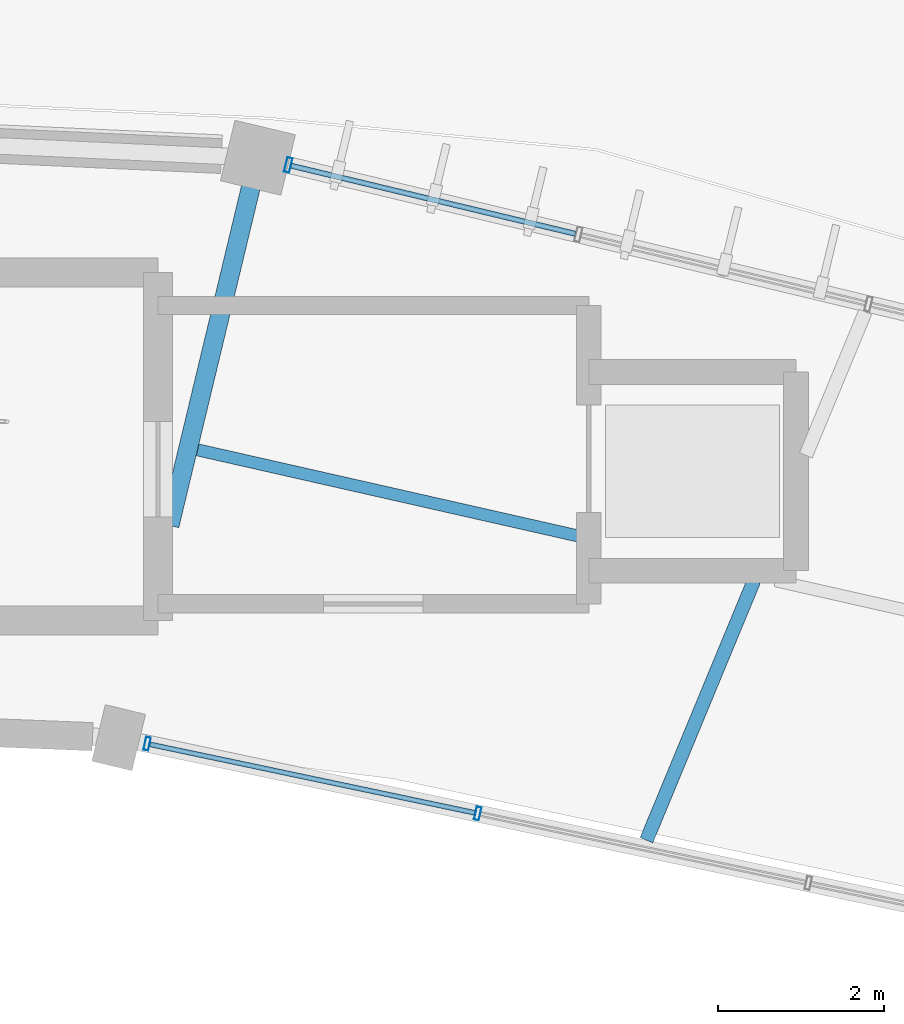
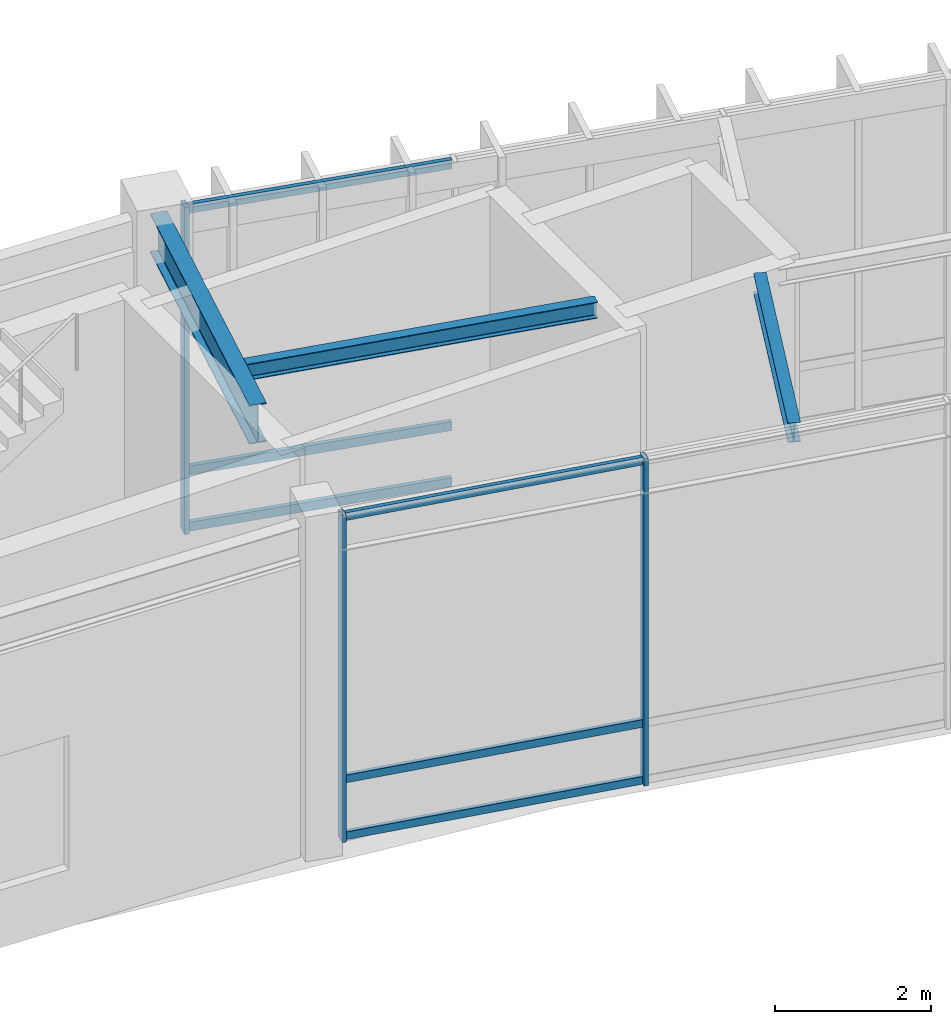
# One storey, part 80 of 157: 9 members, 3 beams, 2 elements without a shape of their own.
"""IFC4 building model written with IfcOpenShell, lengths in metres."""

from ifc_helpers import new_model, si_unit, direction, frame, origin, origin_2d, place, context, subcontext, project, spatial, hollow_rectangle, i_section, extrude, material, material_profile, profile_set, type_object, element, aggregate, save


model = new_model("IFC4")

# Units and contexts
model_context = context("Model", 3, precision=1e-05, world=origin(), true_north=direction((0.0, 1.0)))
body_context = subcontext(model_context, "Body", "Model", "MODEL_VIEW")
ifc_project = project(units=[si_unit("LENGTHUNIT", "METRE"), si_unit("AREAUNIT", "SQUARE_METRE"), si_unit("VOLUMEUNIT", "CUBIC_METRE"), si_unit("PLANEANGLEUNIT", "RADIAN"), si_unit("MASSUNIT", "GRAM", prefix="KILO"), si_unit("THERMODYNAMICTEMPERATUREUNIT", "KELVIN"), si_unit("POWERUNIT", "WATT")], contexts=[model_context])

# Site, building, storey
site_placement = place(None, origin())
site = spatial("IfcSite", under=ifc_project, at=site_placement, CompositionType="ELEMENT")
building_placement = place(site_placement, origin())
building = spatial("IfcBuilding", under=site, at=building_placement, Name="Darbajah Civic Hall", CompositionType="ELEMENT")
storey_placement = place(building_placement, origin())
storey = spatial("IfcBuildingStorey", under=building, at=storey_placement, Name="L00", CompositionType="ELEMENT", Elevation=0.0)

# Curtain wall, members
ifc_material_1 = material(Name="Anodised Bronze Aluminium and Low-E Glazing", Category="aluminium")
curtain_wall_type_1 = type_object("IfcCurtainWallType", Name="Unitised Curtain Wall CW-04 12200x5100", PredefinedType="USERDEFINED", material=ifc_material_1)
curtain_wall_1_placement = place(storey_placement, origin())
curtain_wall_1 = element("IfcCurtainWall", 1, at=curtain_wall_1_placement, inside=storey, type_object=curtain_wall_type_1, Name="L00 unitised curtain wall CW-V1I-L00-03", ObjectType="UNITISED CURTAIN WALL", PredefinedType="USERDEFINED")
ifc_material_2 = material(Name="Anodised Bronze Aluminium", Category="aluminium")
ifc_material_profile_1 = material_profile(ifc_material_2, hollow_rectangle(XDim=0.06005859375, YDim=0.159912109375, WallThickness=0.00341796875, at=origin_2d()), Name="ALU MULLION 60x160")
ifc_profile_set_1 = profile_set([ifc_material_profile_1], Name="Anodised Bronze Aluminium")
member_type_1 = type_object("IfcMemberType", Name="ALU MULLION 60x160", PredefinedType="MULLION", material=ifc_profile_set_1)
member_1_placement = place(storey_placement, frame((103.659912109375, 110.569580078125, 0.0), z_axis=(0.0, 0.0, 1.0), x_axis=(-0.978472980779, 0.206374964291, 0.0)))
member_1 = element("IfcMember", 2, at=member_1_placement, type_object=member_type_1, Name="CW-V1I-L00-03 mullion 3", PredefinedType="MULLION", context=body_context, shape_type="SweptSolid", body=[
    extrude(hollow_rectangle(XDim=0.06005859375, YDim=0.159912109375, WallThickness=0.00341796875, at=origin_2d()), origin(), (0.0, 0.0, 1.0), 5.1201171875),
])
member_2_placement = place(storey_placement, frame((99.669189453125, 111.4111328125, 0.0), z_axis=(0.0, 0.0, 1.0), x_axis=(-0.978472980779, 0.206374964291, 0.0)))
member_2 = element("IfcMember", 3, at=member_2_placement, type_object=member_type_1, Name="CW-V1I-L00-03 mullion 4", PredefinedType="MULLION", context=body_context, shape_type="SweptSolid", body=[
    extrude(hollow_rectangle(XDim=0.06005859375, YDim=0.159912109375, WallThickness=0.00341796875, at=origin_2d()), origin(), (0.0, 0.0, 1.0), 5.1201171875),
])

# Curtain wall, member
curtain_wall_type_2 = type_object("IfcCurtainWallType", Name="Unitised Curtain Wall CW-03 14400x5100", PredefinedType="USERDEFINED", material=ifc_material_1)
curtain_wall_2_placement = place(storey_placement, origin())
curtain_wall_2 = element("IfcCurtainWall", 4, at=curtain_wall_2_placement, inside=storey, type_object=curtain_wall_type_2, Name="L00 unitised curtain wall CW-V1O-L00-03", ObjectType="UNITISED CURTAIN WALL", PredefinedType="USERDEFINED")
ifc_material_profile_2 = material_profile(ifc_material_2, hollow_rectangle(XDim=0.06494140625, YDim=0.179931640625, WallThickness=0.00390625, at=origin_2d()), Name="ALU MULLION 65x180")
ifc_profile_set_2 = profile_set([ifc_material_profile_2], Name="Anodised Bronze Aluminium")
member_type_2 = type_object("IfcMemberType", Name="ALU MULLION 65x180", PredefinedType="MULLION", material=ifc_profile_set_2)
member_3_placement = place(storey_placement, frame((101.372314453125, 118.397216796875, 0.0), z_axis=(0.0, 0.0, 1.0), x_axis=(-0.972492018808, 0.232936200179, 0.0)))
member_3 = element("IfcMember", 5, at=member_3_placement, type_object=member_type_2, Name="CW-V1O-L00-03 mullion 5", PredefinedType="MULLION", context=body_context, shape_type="SweptSolid", body=[
    extrude(hollow_rectangle(XDim=0.06494140625, YDim=0.179931640625, WallThickness=0.00390625, at=origin_2d()), origin(), (0.0, 0.0, 1.0), 5.1201171875),
])

# Member
ifc_material_profile_3 = material_profile(ifc_material_2, hollow_rectangle(XDim=0.06005859375, YDim=0.1201171875, WallThickness=0.003173828125, at=origin_2d()), Name="ALU TRANSOM 60x120")
ifc_profile_set_3 = profile_set([ifc_material_profile_3], Name="Anodised Bronze Aluminium")
member_type_3 = type_object("IfcMemberType", Name="ALU TRANSOM 60x120", PredefinedType="USERDEFINED", material=ifc_profile_set_3)
member_4_placement = place(storey_placement, frame((103.62548828125, 110.576904296875, 0.06005859375), z_axis=(-0.978474752776, 0.20636656265, 0.0), x_axis=(-0.20636656265, -0.978474752776, 0.0)))
member_4 = element("IfcMember", 6, at=member_4_placement, type_object=member_type_3, Name="CW-V1I-L00-03 transom 3.1", ObjectType="TRANSOM", PredefinedType="USERDEFINED", context=body_context, shape_type="SweptSolid", body=[
    extrude(hollow_rectangle(XDim=0.06005859375, YDim=0.1201171875, WallThickness=0.003173828125, at=origin_2d()), origin(), (0.0, 0.0, 1.0), 4.008056640625),
])

member_5_placement = place(storey_placement, frame((103.62548828125, 110.576904296875, 0.949951171875), z_axis=(-0.978474752776, 0.20636656265, 0.0), x_axis=(-0.20636656265, -0.978474752776, 0.0)))
member_5 = element("IfcMember", 7, at=member_5_placement, type_object=member_type_3, Name="CW-V1I-L00-03 transom 3.2", ObjectType="TRANSOM", PredefinedType="USERDEFINED", context=body_context, shape_type="SweptSolid", body=[
    extrude(hollow_rectangle(XDim=0.06005859375, YDim=0.1201171875, WallThickness=0.003173828125, at=origin_2d()), origin(), (0.0, 0.0, 1.0), 4.008056640625),
])

member_6_placement = place(storey_placement, frame((103.62548828125, 110.576904296875, 5.06005859375), z_axis=(-0.978474752776, 0.20636656265, 0.0), x_axis=(-0.20636656265, -0.978474752776, 0.0)))
member_6 = element("IfcMember", 8, at=member_6_placement, type_object=member_type_3, Name="CW-V1I-L00-03 transom 3.3", ObjectType="TRANSOM", PredefinedType="USERDEFINED", context=body_context, shape_type="SweptSolid", body=[
    extrude(hollow_rectangle(XDim=0.06005859375, YDim=0.1201171875, WallThickness=0.003173828125, at=origin_2d()), origin(), (0.0, 0.0, 1.0), 4.008056640625),
])

aggregate(curtain_wall_1, [member_1, member_2, member_4, member_5, member_6])

ifc_material_profile_4 = material_profile(ifc_material_2, hollow_rectangle(XDim=0.06494140625, YDim=0.139892578125, WallThickness=0.00341796875, at=origin_2d()), Name="ALU TRANSOM 65x140")
ifc_profile_set_4 = profile_set([ifc_material_profile_4], Name="Anodised Bronze Aluminium")
member_type_4 = type_object("IfcMemberType", Name="ALU TRANSOM 65x140", PredefinedType="USERDEFINED", material=ifc_profile_set_4)
member_7_placement = place(storey_placement, frame((104.837890625, 117.566650390625, 0.070068359375), z_axis=(-0.972466430891, 0.23304300202, 0.0), x_axis=(-0.23304300202, -0.972466430891, 0.0)))
member_7 = element("IfcMember", 9, at=member_7_placement, type_object=member_type_4, Name="CW-V1O-L00-03 transom 4.1", ObjectType="TRANSOM", PredefinedType="USERDEFINED", context=body_context, shape_type="SweptSolid", body=[
    extrude(hollow_rectangle(XDim=0.06494140625, YDim=0.139892578125, WallThickness=0.00341796875, at=origin_2d()), origin(), (0.0, 0.0, 1.0), 3.5263671875),
])

member_8_placement = place(storey_placement, frame((104.837890625, 117.566650390625, 0.949951171875), z_axis=(-0.972466430891, 0.23304300202, 0.0), x_axis=(-0.23304300202, -0.972466430891, 0.0)))
member_8 = element("IfcMember", 10, at=member_8_placement, type_object=member_type_4, Name="CW-V1O-L00-03 transom 4.2", ObjectType="TRANSOM", PredefinedType="USERDEFINED", context=body_context, shape_type="SweptSolid", body=[
    extrude(hollow_rectangle(XDim=0.06494140625, YDim=0.139892578125, WallThickness=0.00341796875, at=origin_2d()), origin(), (0.0, 0.0, 1.0), 3.5263671875),
])

member_9_placement = place(storey_placement, frame((104.837890625, 117.566650390625, 5.050048828125), z_axis=(-0.972466430891, 0.23304300202, 0.0), x_axis=(-0.23304300202, -0.972466430891, 0.0)))
member_9 = element("IfcMember", 11, at=member_9_placement, type_object=member_type_4, Name="CW-V1O-L00-03 transom 4.3", ObjectType="TRANSOM", PredefinedType="USERDEFINED", context=body_context, shape_type="SweptSolid", body=[
    extrude(hollow_rectangle(XDim=0.06494140625, YDim=0.139892578125, WallThickness=0.00341796875, at=origin_2d()), origin(), (0.0, 0.0, 1.0), 3.5263671875),
])

aggregate(curtain_wall_2, [member_3, member_7, member_8, member_9])

# Beams
ifc_material_3 = material(Name="Steel S355JR", Category="steel")
ifc_material_profile_5 = material_profile(ifc_material_3, i_section(OverallWidth=0.146484375, OverallDepth=0.256103515625, WebThickness=0.00634765625, FlangeThickness=0.010986328125, FilletRadius=0.007568359375, at=origin_2d()), Name="UB 254x146x37")
ifc_profile_set_5 = profile_set([ifc_material_profile_5], Name="Steel S355JR")
beam_type_1 = type_object("IfcBeamType", Name="UB 254x146x37", PredefinedType="JOIST", material=ifc_profile_set_5)
beam_1_placement = place(storey_placement, frame((104.8798828125, 113.917236328125, 4.991943359375), z_axis=(-0.97532969835, 0.220753209527, 0.0), x_axis=(-0.220753209527, -0.97532969835, 0.0)))
element("IfcBeam", 12, at=beam_1_placement, inside=storey, type_object=beam_type_1, Name="L00 beam SJ-254", PredefinedType="JOIST", context=body_context, shape_type="SweptSolid", body=[
    extrude(i_section(OverallWidth=0.146484375, OverallDepth=0.256103515625, WebThickness=0.00634765625, FlangeThickness=0.010986328125, FilletRadius=0.007568359375, at=origin_2d()), origin(), (0.0, 0.0, 1.0), 4.718017578125),
])
ifc_material_profile_6 = material_profile(ifc_material_3, i_section(OverallWidth=0.165771484375, OverallDepth=0.306640625, WebThickness=0.006591796875, FlangeThickness=0.01171875, FilletRadius=0.0087890625, at=origin_2d()), Name="UB 305x165x46")
ifc_profile_set_6 = profile_set([ifc_material_profile_6], Name="Steel S355JR")
beam_type_2 = type_object("IfcBeamType", Name="UB 305x165x46", PredefinedType="JOIST", material=ifc_profile_set_6)
beam_2_placement = place(storey_placement, frame((105.69580078125, 110.246826171875, 4.966796875), z_axis=(0.382646399195, 0.923894871283, 0.0), x_axis=(-0.923894871283, 0.382646399195, 0.0)))
element("IfcBeam", 13, at=beam_2_placement, inside=storey, type_object=beam_type_2, Name="L00 beam SJ-305", PredefinedType="JOIST", context=body_context, shape_type="SweptSolid", body=[
    extrude(i_section(OverallWidth=0.165771484375, OverallDepth=0.306640625, WebThickness=0.006591796875, FlangeThickness=0.01171875, FilletRadius=0.0087890625, at=origin_2d()), origin(), (0.0, 0.0, 1.0), 3.39111328125),
])
ifc_material_profile_7 = material_profile(ifc_material_3, i_section(OverallWidth=0.228271484375, OverallDepth=0.607666015625, WebThickness=0.010986328125, FlangeThickness=0.017333984375, FilletRadius=0.0126953125, at=origin_2d()), Name="UB 610x229x113")
ifc_profile_set_7 = profile_set([ifc_material_profile_7], Name="Steel S355JR")
beam_type_3 = type_object("IfcBeamType", Name="UB 610x229x113", PredefinedType="BEAM", material=ifc_profile_set_7)
beam_3_placement = place(storey_placement, frame((99.93994140625, 114.0458984375, 4.816162109375), z_axis=(0.233469714674, 0.972364073961, 0.0), x_axis=(-0.972364073961, 0.233469714674, 0.0)))
element("IfcBeam", 14, at=beam_3_placement, inside=storey, type_object=beam_type_3, Name="L00 beam SB-610", PredefinedType="BEAM", context=body_context, shape_type="SweptSolid", body=[
    extrude(i_section(OverallWidth=0.228271484375, OverallDepth=0.607666015625, WebThickness=0.010986328125, FlangeThickness=0.017333984375, FilletRadius=0.0126953125, at=origin_2d()), origin(), (0.0, 0.0, 1.0), 4.485107421875),
])

save(model, "model.ifc")
